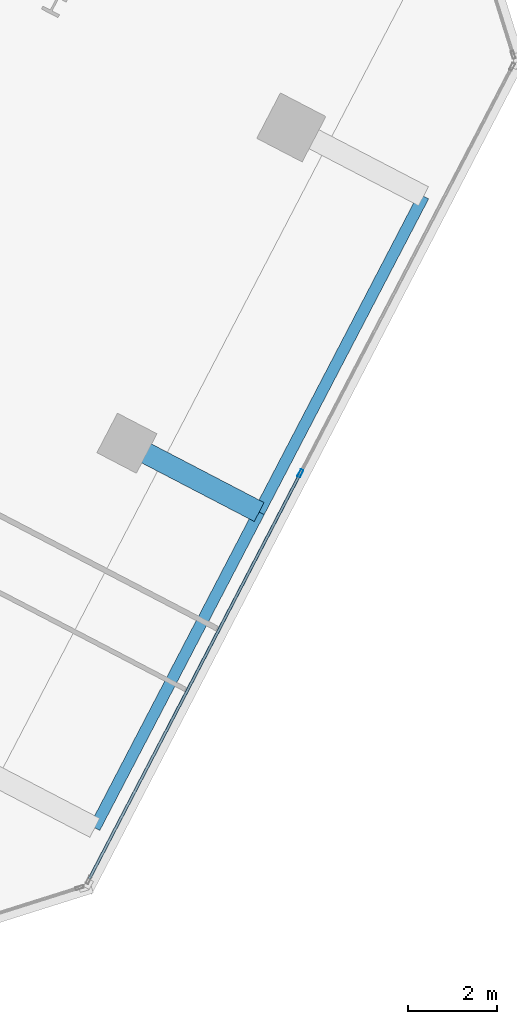
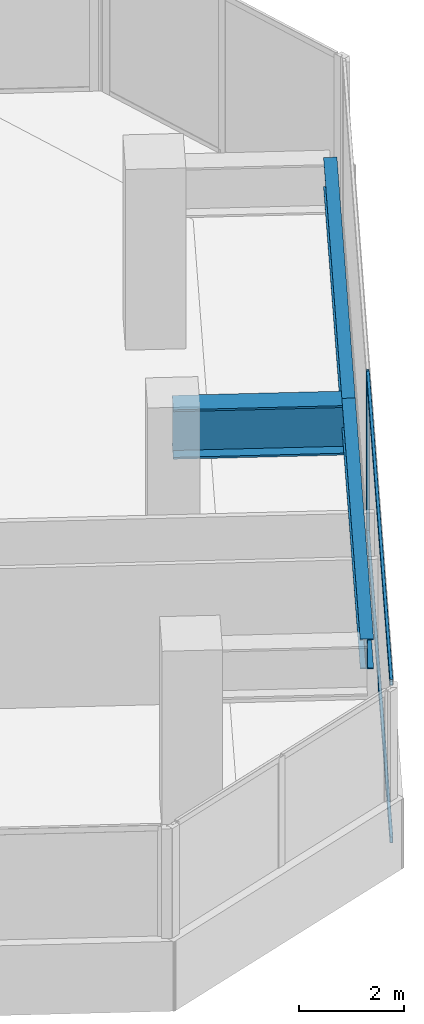
# One storey, part 8 of 22: 3 beams, 3 members, 1 element without a shape of its own.
"""IFC4 building model written with IfcOpenShell, lengths in metres."""

from ifc_helpers import new_model, si_unit, direction, frame, origin, origin_2d, place, context, subcontext, project, spatial, hollow_rectangle, i_section, extrude, source, transform, mapped, material, material_profile, profile_set, type_object, element, aggregate, save


model = new_model("IFC4")

# Units and contexts
model_context = context("Model", 3, precision=1e-05, world=origin(), true_north=direction((0.0, 1.0)))
body_context = subcontext(model_context, "Body", "Model", "MODEL_VIEW")
ifc_project = project(units=[si_unit("LENGTHUNIT", "METRE"), si_unit("AREAUNIT", "SQUARE_METRE"), si_unit("VOLUMEUNIT", "CUBIC_METRE"), si_unit("PLANEANGLEUNIT", "RADIAN"), si_unit("MASSUNIT", "GRAM", prefix="KILO")], contexts=[model_context])

# Site, building, storey
site_placement = place(None, origin())
site = spatial("IfcSite", under=ifc_project, at=site_placement, CompositionType="ELEMENT")
building_placement = place(site_placement, origin())
building = spatial("IfcBuilding", under=site, at=building_placement, Name="Torre Montelarca", CompositionType="ELEMENT")
storey_placement = place(building_placement, frame((0.0, 0.0, 166.60009765625)))
storey = spatial("IfcBuildingStorey", under=building, at=storey_placement, Name="L37", CompositionType="ELEMENT", Elevation=166.60009765625)

# Beams
ifc_material_1 = material(Name="Steel ASTM A572 Grade 50", Category="steel")
ifc_material_profile_1 = material_profile(ifc_material_1, i_section(OverallWidth=0.47998046875, OverallDepth=1.14990234375, WebThickness=0.02197265625, FlangeThickness=0.044921875, at=origin_2d()), Name="PG1150X480X22X45", Category="steel")
ifc_profile_set_1 = profile_set([ifc_material_profile_1], Name="Steel ASTM A572 Grade 50")
beam_type_1 = type_object("IfcBeamType", Name="BM-CG-PG1400-EXT", PredefinedType="USERDEFINED", material=ifc_profile_set_1)
shared_shape_1 = source(origin(), body_context, "Body", "SweptSolid", [
    extrude(i_section(OverallWidth=0.47998046875, OverallDepth=1.14990234375, WebThickness=0.02197265625, FlangeThickness=0.044921875, at=origin_2d()), origin(), (0.0, 0.0, 1.0), 3.349853515625),
])
beam_placement = place(storey_placement, frame((45.005859375, 19.763671875, 3.385009765625), z_axis=(0.887005507171, -0.461758844256, 0.0), x_axis=(0.461758844256, 0.887005507171, 0.0)))
element("IfcBeam", 1, at=beam_placement, inside=storey, type_object=beam_type_1, Name="L37 Sliding Tray Cantilever Girder East Y=32m (FLR)", ObjectType="CANTILEVER GIRDER", PredefinedType="USERDEFINED", context=body_context, shape_type="MappedRepresentation", body=[
    mapped(shared_shape_1, transform((0.0, 0.0, 0.0), scale=1.0)),
])
ifc_material_2 = material(Name="Steel ASTM A992 Grade 50", Category="steel")
ifc_material_profile_2 = material_profile(ifc_material_2, i_section(OverallWidth=0.256103515625, OverallDepth=0.693115234375, WebThickness=0.014404296875, FlangeThickness=0.023681640625, FilletRadius=0.01806640625, at=origin_2d()), Name="W690X170", Category="steel")
ifc_profile_set_2 = profile_set([ifc_material_profile_2], Name="Steel ASTM A992 Grade 50")
beam_type_2 = type_object("IfcBeamType", Name="BM-G-W690-EXT", PredefinedType="BEAM", material=ifc_profile_set_2)
shared_shape_2 = source(origin(), body_context, "Body", "SweptSolid", [
    extrude(i_section(OverallWidth=0.256103515625, OverallDepth=0.693115234375, WebThickness=0.014404296875, FlangeThickness=0.023681640625, FilletRadius=0.01806640625, at=origin_2d()), origin(), (0.0, 0.0, 1.0), 8.000244140625),
])
for number, where, z_axis, x_axis, name in (
    (2, (44.283203125, 11.12060546875, 3.614013671875), (0.461753369906, 0.887008356996, 0.0), (-0.887008356996, 0.461753369906, 0.0), "L37 Sliding Tray Edge Girder East 24-32m (FLR)"),
    (3, (47.977294921875, 18.216796875, 3.614013671875), (0.461753369906, 0.887008356996, 0.0), (-0.887008356996, 0.461753369906, 0.0), "L37 Sliding Tray Edge Girder East 32-40m (FLR)"),
):
    element("IfcBeam", number, at=place(storey_placement, frame(where, z_axis=z_axis, x_axis=x_axis)), inside=storey, type_object=beam_type_2, Name=name, PredefinedType="BEAM", context=body_context, shape_type="MappedRepresentation", body=[
        mapped(shared_shape_2, transform((0.0, 0.0, 0.0), scale=1.0)),
    ])

# Curtain wall, members
ifc_material_3 = material(Name="Insulated low-E laminated glass", Category="glass")
curtain_wall_type = type_object("IfcCurtainWallType", Name="CW-SYS-Z2", PredefinedType="USERDEFINED", material=ifc_material_3)
curtain_wall_placement = place(storey_placement, origin())
curtain_wall = element("IfcCurtainWall", 4, at=curtain_wall_placement, inside=storey, type_object=curtain_wall_type, Name="L37 Curtain Wall Run CW-T3-L37-E06-B1", ObjectType="UNITISED GLAZING", PredefinedType="USERDEFINED")
ifc_material_4 = material(Name="Anodised aluminium AA 6063-T6", Category="aluminium")
ifc_material_profile_3 = material_profile(ifc_material_4, hollow_rectangle(XDim=0.06494140625, YDim=0.179931640625, WallThickness=0.00390625, InnerFilletRadius=0.00390625, OuterFilletRadius=0.008056640625, at=origin_2d()), Name="ALU65X180X4", Category="aluminium")
ifc_profile_set_3 = profile_set([ifc_material_profile_3], Name="Anodised aluminium AA 6063-T6")
member_type_1 = type_object("IfcMemberType", Name="CWM-ALU180", PredefinedType="MULLION", material=ifc_profile_set_3)
shared_shape_3 = source(origin(), body_context, "Body", "SweptSolid", [
    extrude(hollow_rectangle(XDim=0.06494140625, YDim=0.179931640625, WallThickness=0.00390625, InnerFilletRadius=0.00390625, OuterFilletRadius=0.008056640625, at=origin_2d()), origin(), (0.0, 0.0, 1.0), 3.719970703125),
])
member_1_placement = place(storey_placement, frame((48.904052734375, 19.08740234375, 0.0), z_axis=(0.0, 0.0, 1.0), x_axis=(-0.887014000849, 0.461742528145, 0.0)))
member_1 = element("IfcMember", 5, at=member_1_placement, type_object=member_type_1, Name="CW mullion 2", PredefinedType="MULLION", context=body_context, shape_type="MappedRepresentation", body=[
    mapped(shared_shape_3, transform((0.0, 0.0, 0.0), scale=1.0)),
])
ifc_material_profile_4 = material_profile(ifc_material_4, hollow_rectangle(XDim=0.06494140625, YDim=0.139892578125, WallThickness=0.00390625, InnerFilletRadius=0.00390625, OuterFilletRadius=0.008056640625, at=origin_2d()), Name="ALU65X140X4", Category="aluminium")
ifc_profile_set_4 = profile_set([ifc_material_profile_4], Name="Anodised aluminium AA 6063-T6")
member_type_2 = type_object("IfcMemberType", Name="CWT-ALU140", PredefinedType="USERDEFINED", material=ifc_profile_set_4)
shared_shape_4 = source(origin(), body_context, "Body", "SweptSolid", [
    extrude(hollow_rectangle(XDim=0.06494140625, YDim=0.139892578125, WallThickness=0.00390625, InnerFilletRadius=0.00390625, OuterFilletRadius=0.008056640625, at=origin_2d()), origin(), (0.0, 0.0, 1.0), 10.237060546875),
])
member_2_placement = place(storey_placement, frame((44.162109375, 9.978271484375, 0.032470703125), z_axis=(0.461740163531, 0.887015231765, 0.0), x_axis=(-0.887015231765, 0.461740163531, 0.0)))
member_2 = element("IfcMember", 6, at=member_2_placement, type_object=member_type_2, Name="CW transom 1.1", ObjectType="TRANSOM", PredefinedType="USERDEFINED", context=body_context, shape_type="MappedRepresentation", body=[
    mapped(shared_shape_4, transform((0.0, 0.0, 0.0), scale=1.0)),
])
member_3_placement = place(storey_placement, frame((44.162109375, 9.978271484375, 3.6875), z_axis=(0.461740163531, 0.887015231765, 0.0), x_axis=(-0.887015231765, 0.461740163531, 0.0)))
member_3 = element("IfcMember", 7, at=member_3_placement, type_object=member_type_2, Name="CW transom 1.2", ObjectType="TRANSOM", PredefinedType="USERDEFINED", context=body_context, shape_type="MappedRepresentation", body=[
    mapped(shared_shape_4, transform((0.0, 0.0, 0.0), scale=1.0)),
])
aggregate(curtain_wall, [member_1, member_2, member_3])

save(model, "model.ifc")
